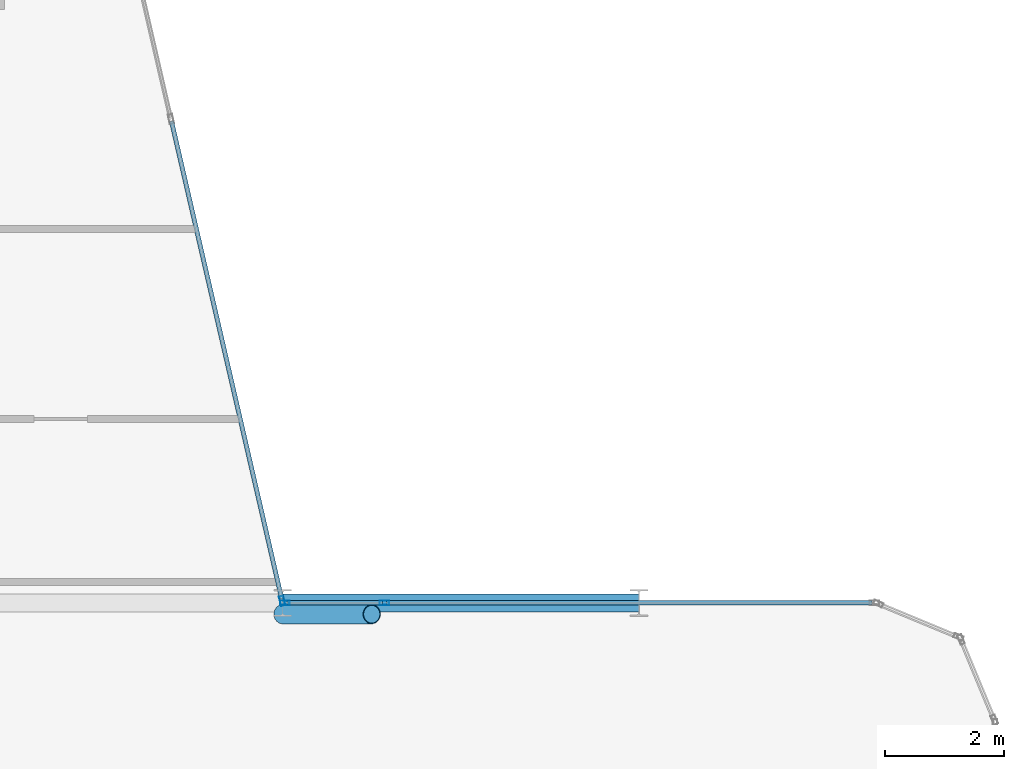
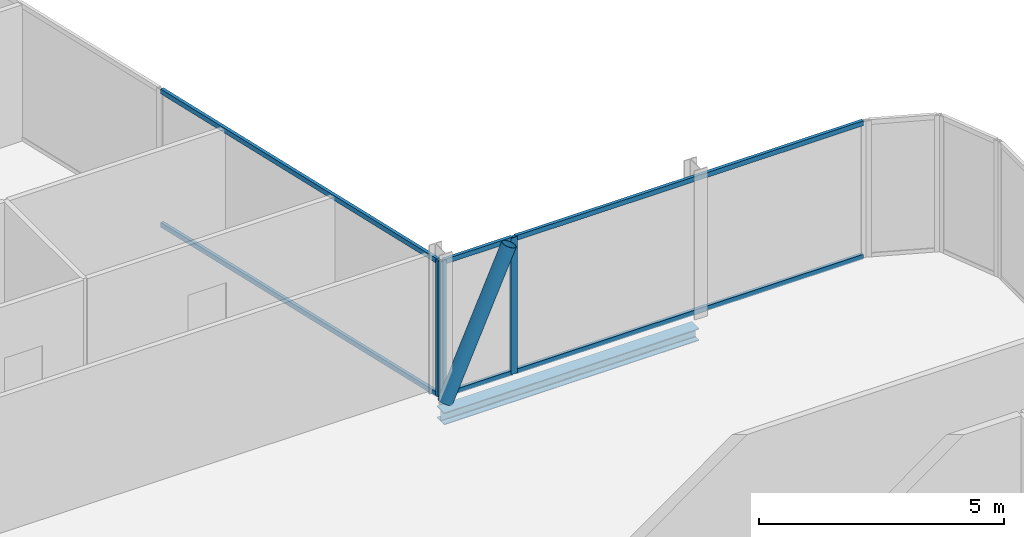
# One storey, part 14 of 29: 10 members, 1 beam, 3 elements without a shape of their own.
"""IFC4 building model written with IfcOpenShell, lengths in metres."""

import ifcopenshell
import ifcopenshell.guid

model = None  # the IFC model being written
_history = None  # IfcOwnerHistory: only IFC2X3 demands one
_inside = {}  # id of a spatial element -> (the spatial element, [elements in it])
_under = {}  # id of a project, library or spatial element -> (it, [spatial elements below it])
_declared = {}  # id of a project -> (the project, [libraries it declares])
_typed = {}  # id of a type object -> (the type object, [elements of that type])
_made_of = {}  # id of a material, layer set ... -> (it, [elements and type objects made of it])


def new_model(schema):
    """Start an empty IFC model of exactly this schema.

    Asked for "IFC4X3", IfcOpenShell would pick the latest addendum, in which some entities
    have other attributes; the version numbers below select the first issue.
    IFC2X3 requires an IfcOwnerHistory on every rooted entity: one is made here for all.
    """
    global model, _history
    if schema == "IFC4X3":
        model = ifcopenshell.file(schema_version=(4, 3, 0, 0))
    else:
        model = ifcopenshell.file(schema=schema)
    _inside.clear()
    _under.clear()
    _declared.clear()
    _typed.clear()
    _made_of.clear()
    _history = None
    if model.schema == "IFC2X3":
        org = make("IfcOrganization", Name="unknown")
        user = make(
            "IfcPersonAndOrganization",
            ThePerson=make("IfcPerson", FamilyName="unknown"),
            TheOrganization=org,
        )
        app = make(
            "IfcApplication",
            ApplicationDeveloper=org,
            Version="unknown",
            ApplicationFullName="unknown",
            ApplicationIdentifier="unknown",
        )
        _history = make(
            "IfcOwnerHistory",
            OwningUser=user,
            OwningApplication=app,
            ChangeAction="ADDED",
            CreationDate=0,
        )
    return model


def make(cls, **values):
    """One entity of the class cls with the attributes given. An attribute that is None is left unset."""
    return model.create_entity(
        cls, **{name: value for name, value in values.items() if value is not None}
    )


def rooted(cls, **values):
    """An entity with a GlobalId (a new one), such as an element, a storey or a relation."""
    return make(cls, GlobalId=ifcopenshell.guid.new(), OwnerHistory=_history, **values)


def si_unit(unit_type, name, prefix=None):
    """IfcSIUnit, for example si_unit("LENGTHUNIT", "METRE", prefix="MILLI")."""
    return make("IfcSIUnit", UnitType=unit_type, Prefix=prefix, Name=name)


def assignment(units):
    """IfcUnitAssignment: the units of a project."""
    return None if units is None else make("IfcUnitAssignment", Units=units)


def point(xyz):
    """IfcCartesianPoint."""
    return None if xyz is None else make("IfcCartesianPoint", Coordinates=xyz)


def direction(xyz):
    """IfcDirection."""
    return None if xyz is None else make("IfcDirection", DirectionRatios=xyz)


def frame(location, z_axis=None, x_axis=None):
    """IfcAxis2Placement3D, a coordinate frame: its origin and axes. An axis left out is left unset."""
    return make(
        "IfcAxis2Placement3D",
        Location=point(location),
        Axis=direction(z_axis),
        RefDirection=direction(x_axis),
    )


def frame_2d(location, x_axis=None):
    """IfcAxis2Placement2D, a coordinate frame in the plane: its origin and x axis."""
    return make(
        "IfcAxis2Placement2D", Location=point(location), RefDirection=direction(x_axis)
    )


def origin():
    """The frame at (0, 0, 0) with its axes left unset."""
    return frame((0.0, 0.0, 0.0))


def origin_2d():
    """The frame at (0, 0) in the plane with its x axis left unset."""
    return frame_2d((0.0, 0.0))


def place(relative_to, where):
    """IfcLocalPlacement: puts the frame where relative to a parent placement (None: the world)."""
    return make(
        "IfcLocalPlacement", PlacementRelTo=relative_to, RelativePlacement=where
    )


def context(
    kind, dimensions, precision=None, world=None, true_north=None, identifier=None
):
    """IfcGeometricRepresentationContext, for example the 3D "Model" context."""
    return make(
        "IfcGeometricRepresentationContext",
        ContextIdentifier=identifier,
        ContextType=kind,
        CoordinateSpaceDimension=dimensions,
        Precision=precision,
        WorldCoordinateSystem=world,
        TrueNorth=true_north,
    )


def subcontext(parent, identifier, kind, view, scale=None):
    """IfcGeometricRepresentationSubContext, for example "Body" below "Model"."""
    return make(
        "IfcGeometricRepresentationSubContext",
        ContextIdentifier=identifier,
        ContextType=kind,
        ParentContext=parent,
        TargetScale=scale,
        TargetView=view,
    )


def project(units=None, contexts=None):
    """IfcProject with its units and contexts."""
    return rooted(
        "IfcProject",
        Name="project",
        RepresentationContexts=contexts,
        UnitsInContext=assignment(units),
    )


def spatial(cls, under=None, at=None, **own):
    """A site, building, storey or space (cls), placed at a placement, below another one or the project."""
    s = rooted(cls, ObjectPlacement=at, **own)
    if under is not None:
        _under.setdefault(under.id(), (under, []))[1].append(s)
    return s


def profile(cls, at=None, kind="AREA", **sizes):
    """A parametric profile (cls). Its sizes go by their IFC names, for example OverallWidth=200.0."""
    return make(cls, ProfileType=kind, Position=at, **sizes)


def hollow_rectangle(**sizes):
    """IfcRectangleHollowProfileDef."""
    return profile("IfcRectangleHollowProfileDef", **sizes)


def hollow_circle(**sizes):
    """IfcCircleHollowProfileDef."""
    return profile("IfcCircleHollowProfileDef", **sizes)


def i_section(**sizes):
    """IfcIShapeProfileDef."""
    return profile("IfcIShapeProfileDef", **sizes)


def extrude(swept, where, along, depth):
    """IfcExtrudedAreaSolid: the profile swept, set in the frame where, extruded along a direction by depth."""
    return make(
        "IfcExtrudedAreaSolid",
        SweptArea=swept,
        Position=where,
        ExtrudedDirection=direction(along),
        Depth=depth,
    )


def shape(context_of_items, identifier, shape_type, items):
    """IfcShapeRepresentation: the items that make up one representation, for example the "Body"."""
    return make(
        "IfcShapeRepresentation",
        ContextOfItems=context_of_items,
        RepresentationIdentifier=identifier,
        RepresentationType=shape_type,
        Items=items,
    )


def material(Name=None, Category=None):
    """IfcMaterial."""
    return make("IfcMaterial", Name=Name, Category=Category)


def layer(
    of_material, thickness, ventilated=None, Name=None, Category=None, Priority=None
):
    """IfcMaterialLayer: one layer of a wall or slab, of a material (None: an air gap)."""
    return make(
        "IfcMaterialLayer",
        Material=of_material,
        LayerThickness=thickness,
        IsVentilated=ventilated,
        Name=Name,
        Category=Category,
        Priority=Priority,
    )


def layer_set(layers, Name=None):
    """IfcMaterialLayerSet."""
    return make("IfcMaterialLayerSet", MaterialLayers=layers, LayerSetName=Name)


def material_profile(
    of_material, cross_section, Name=None, Category=None, Priority=None
):
    """IfcMaterialProfile: a cross section and its material."""
    return make(
        "IfcMaterialProfile",
        Name=Name,
        Material=of_material,
        Profile=cross_section,
        Priority=Priority,
        Category=Category,
    )


def profile_set(profiles, Name=None, composite=None):
    """IfcMaterialProfileSet."""
    return make(
        "IfcMaterialProfileSet",
        Name=Name,
        MaterialProfiles=profiles,
        CompositeProfile=composite,
    )


def made_of(thing, what):
    """Note that an element or type object is made of a material, layer set ...; save() writes the relation."""
    if what is not None:
        _made_of.setdefault(what.id(), (what, []))[1].append(thing)
    return thing


def type_object(cls, material=None, **own):
    """A type object (cls), such as IfcWallType, which elements share."""
    return made_of(rooted(cls, **own), material)


def element(
    cls,
    number,
    at=None,
    inside=None,
    cuts=None,
    type_object=None,
    material=None,
    context=None,
    identifier="Body",
    shape_type=None,
    held_by="IfcProductDefinitionShape",
    body=None,
    shapes=None,
    **own,
):
    """One element of the class cls, such as IfcWall. Its Tag is "e" and its number.

    at: its placement. inside: the storey or other place that contains it. cuts: it is an
    opening in that element (IfcRelVoidsElement). A single representation is given by context,
    identifier, shape_type and body (its items); several are given by shapes. held_by: the class
    of the entity that holds the representations. save() writes the other relations.
    """
    e = rooted(cls, Tag="e%d" % number, ObjectPlacement=at, **own)
    if body is not None:
        shapes = [shape(context, identifier, shape_type, body)]
    if shapes is not None:
        e.Representation = make(held_by, Representations=shapes)
    if inside is not None:
        _inside.setdefault(inside.id(), (inside, []))[1].append(e)
    if cuts is not None:
        rooted(
            "IfcRelVoidsElement", RelatingBuildingElement=cuts, RelatedOpeningElement=e
        )
    if type_object is not None:
        _typed.setdefault(type_object.id(), (type_object, []))[1].append(e)
    return made_of(e, material)


def aggregate(whole, parts):
    """IfcRelAggregates: a whole, such as a stair, and the parts it consists of."""
    return rooted("IfcRelAggregates", RelatingObject=whole, RelatedObjects=parts)


def save(model, path):
    """Write the relations noted so far, then the file.

    IfcRelAggregates (storeys below a building ...), IfcRelContainedInSpatialStructure (elements
    in a storey), IfcRelDefinesByType, IfcRelAssociatesMaterial and IfcRelDeclares: one each for
    every whole, place, type object, material and project.
    """
    for whole, parts in _under.values():
        aggregate(whole, parts)
    for where, things in _inside.values():
        rooted(
            "IfcRelContainedInSpatialStructure",
            RelatedElements=things,
            RelatingStructure=where,
        )
    for kind, things in _typed.values():
        rooted("IfcRelDefinesByType", RelatedObjects=things, RelatingType=kind)
    for what, things in _made_of.values():
        rooted("IfcRelAssociatesMaterial", RelatedObjects=things, RelatingMaterial=what)
    for by, libraries in _declared.values():
        rooted("IfcRelDeclares", RelatingContext=by, RelatedDefinitions=libraries)
    model.write(path)


model = new_model("IFC4")

# Units and contexts
model_context = context("Model", 3, precision=1e-05, world=origin(), true_north=direction((0.0, 1.0)))
body_context = subcontext(model_context, "Body", "Model", "MODEL_VIEW")
ifc_project = project(units=[si_unit("LENGTHUNIT", "METRE"), si_unit("AREAUNIT", "SQUARE_METRE"), si_unit("VOLUMEUNIT", "CUBIC_METRE"), si_unit("PLANEANGLEUNIT", "RADIAN"), si_unit("MASSUNIT", "GRAM", prefix="KILO")], contexts=[model_context])

# Site, building, storey
site_placement = place(None, origin())
site = spatial("IfcSite", under=ifc_project, at=site_placement, CompositionType="ELEMENT")
building_placement = place(site_placement, origin())
building = spatial("IfcBuilding", under=site, at=building_placement, Name="Keshet Zoharim Tower", CompositionType="ELEMENT")
storey_placement = place(building_placement, frame((0.0, 0.0, 199.5)))
storey = spatial("IfcBuildingStorey", under=building, at=storey_placement, Name="L49", CompositionType="ELEMENT", Elevation=199.5)

# Beam
ifc_material_1 = material(Name="Steel S355", Category="steel")
ifc_material_profile_1 = material_profile(ifc_material_1, i_section(OverallWidth=0.300048828125, OverallDepth=0.300048828125, WebThickness=0.010986328125, FlangeThickness=0.01904296875, FilletRadius=0.027099609375, at=origin_2d()), Name="HEB300")
ifc_profile_set_1 = profile_set([ifc_material_profile_1], Name="Steel S355")
beam_type = type_object("IfcBeamType", Name="BM-PRI-HB300", PredefinedType="BEAM", material=ifc_profile_set_1)
beam_placement = place(storey_placement, frame((45.0, 27.89990234375, -0.4599609375), z_axis=(1.0, 0.0, 0.0), x_axis=(0.0, 1.0, 0.0)))
element("IfcBeam", 1, at=beam_placement, inside=storey, type_object=beam_type, Name="L49 Primary Girder X-016", PredefinedType="BEAM", context=body_context, shape_type="SweptSolid", body=[
    extrude(i_section(OverallWidth=0.300048828125, OverallDepth=0.300048828125, WebThickness=0.010986328125, FlangeThickness=0.01904296875, FilletRadius=0.027099609375, at=origin_2d()), origin(), (0.0, 0.0, 1.0), 6.0),
])

# Curtain wall, member
ifc_material_2 = material(Name="Aluminium 6063-T6", Category="aluminium")
ifc_layer = layer(ifc_material_2, 0.139892578125)
ifc_layer_set = layer_set([ifc_layer], Name="Aluminium 6063-T6")
curtain_wall_type = type_object("IfcCurtainWallType", Name="CW-SYS-05", PredefinedType="NOTDEFINED", material=ifc_layer_set)
curtain_wall_1_placement = place(storey_placement, origin())
curtain_wall_1 = element("IfcCurtainWall", 2, at=curtain_wall_1_placement, inside=storey, type_object=curtain_wall_type, Name="L49 Unitised Curtain Wall 19", PredefinedType="NOTDEFINED")
ifc_material_profile_2 = material_profile(ifc_material_2, hollow_rectangle(XDim=0.074951171875, YDim=0.159912109375, WallThickness=0.00390625, at=origin_2d()), Name="MUL-75x160")
ifc_profile_set_2 = profile_set([ifc_material_profile_2], Name="Aluminium 6063-T6")
member_type_1 = type_object("IfcMemberType", Name="CWM-M15", PredefinedType="MULLION", material=ifc_profile_set_2)
member_1_placement = place(storey_placement, frame((44.9921875, 27.93408203125, 0.0), z_axis=(0.0, 0.0, 1.0), x_axis=(0.974393882313, 0.224847864369, 0.0)))
member_1 = element("IfcMember", 3, at=member_1_placement, type_object=member_type_1, Name="CW-05 mullion 4", PredefinedType="MULLION", context=body_context, shape_type="SweptSolid", body=[
    extrude(hollow_rectangle(XDim=0.074951171875, YDim=0.159912109375, WallThickness=0.00390625, at=origin_2d()), origin(), (0.0, 0.0, 1.0), 3.389892578125),
])

# Curtain wall, members
curtain_wall_2_placement = place(storey_placement, origin())
curtain_wall_2 = element("IfcCurtainWall", 4, at=curtain_wall_2_placement, inside=storey, type_object=curtain_wall_type, Name="L49 Unitised Curtain Wall 20", PredefinedType="NOTDEFINED")
member_2_placement = place(storey_placement, frame((45.034912109375, 27.89990234375, 0.0), z_axis=(0.0, 0.0, 1.0), x_axis=(0.0, 1.0, 0.0)))
member_2 = element("IfcMember", 5, at=member_2_placement, type_object=member_type_1, Name="CW-05 mullion 1", PredefinedType="MULLION", context=body_context, shape_type="SweptSolid", body=[
    extrude(hollow_rectangle(XDim=0.074951171875, YDim=0.159912109375, WallThickness=0.00390625, at=origin_2d()), origin(), (0.0, 0.0, 1.0), 3.389892578125),
])
member_3_placement = place(storey_placement, frame((46.713134765625, 27.89990234375, 0.0), z_axis=(0.0, 0.0, 1.0), x_axis=(0.0, 1.0, 0.0)))
member_3 = element("IfcMember", 6, at=member_3_placement, type_object=member_type_1, Name="CW-05 mullion 2", PredefinedType="MULLION", context=body_context, shape_type="SweptSolid", body=[
    extrude(hollow_rectangle(XDim=0.074951171875, YDim=0.159912109375, WallThickness=0.00390625, at=origin_2d()), origin(), (0.0, 0.0, 1.0), 3.389892578125),
])

# Member
ifc_material_profile_3 = material_profile(ifc_material_2, hollow_rectangle(XDim=0.074951171875, YDim=0.1201171875, WallThickness=0.00390625, at=origin_2d()), Name="TRN-75x120")
ifc_profile_set_3 = profile_set([ifc_material_profile_3], Name="Aluminium 6063-T6")
member_type_2 = type_object("IfcMemberType", Name="CWT-T12", PredefinedType="USERDEFINED", material=ifc_profile_set_3)
member_4_placement = place(storey_placement, frame((43.127197265625, 36.015869140625, 0.034912109375), z_axis=(0.224863824467, -0.974390199277, 0.0), x_axis=(0.974390199277, 0.224863824467, 0.0)))
member_4 = element("IfcMember", 7, at=member_4_placement, type_object=member_type_2, Name="CW-05 transom 3.1", ObjectType="TRANSOM", PredefinedType="USERDEFINED", context=body_context, shape_type="SweptSolid", body=[
    extrude(hollow_rectangle(XDim=0.074951171875, YDim=0.1201171875, WallThickness=0.00390625, at=origin_2d()), origin(), (0.0, 0.0, 1.0), 8.259033203125),
])

member_5_placement = place(storey_placement, frame((43.127197265625, 36.015869140625, 3.35498046875), z_axis=(0.224863824467, -0.974390199277, 0.0), x_axis=(0.974390199277, 0.224863824467, 0.0)))
member_5 = element("IfcMember", 8, at=member_5_placement, type_object=member_type_2, Name="CW-05 transom 3.2", ObjectType="TRANSOM", PredefinedType="USERDEFINED", context=body_context, shape_type="SweptSolid", body=[
    extrude(hollow_rectangle(XDim=0.074951171875, YDim=0.1201171875, WallThickness=0.00390625, at=origin_2d()), origin(), (0.0, 0.0, 1.0), 8.259033203125),
])

aggregate(curtain_wall_1, [member_1, member_4, member_5])

member_6_placement = place(storey_placement, frame((45.070068359375, 27.89990234375, 0.034912109375), z_axis=(1.0, 0.0, 0.0), x_axis=(0.0, 1.0, 0.0)))
member_6 = element("IfcMember", 9, at=member_6_placement, type_object=member_type_2, Name="CW-05 transom 1.1", ObjectType="TRANSOM", PredefinedType="USERDEFINED", context=body_context, shape_type="SweptSolid", body=[
    extrude(hollow_rectangle(XDim=0.074951171875, YDim=0.1201171875, WallThickness=0.00390625, at=origin_2d()), origin(), (0.0, 0.0, 1.0), 1.60791015625),
])

member_7_placement = place(storey_placement, frame((45.070068359375, 27.89990234375, 3.35498046875), z_axis=(1.0, 0.0, 0.0), x_axis=(0.0, 1.0, 0.0)))
member_7 = element("IfcMember", 10, at=member_7_placement, type_object=member_type_2, Name="CW-05 transom 1.2", ObjectType="TRANSOM", PredefinedType="USERDEFINED", context=body_context, shape_type="SweptSolid", body=[
    extrude(hollow_rectangle(XDim=0.074951171875, YDim=0.1201171875, WallThickness=0.00390625, at=origin_2d()), origin(), (0.0, 0.0, 1.0), 1.60791015625),
])

aggregate(curtain_wall_2, [member_2, member_3, member_6, member_7])

# Curtain wall, members
curtain_wall_3_placement = place(storey_placement, origin())
curtain_wall_3 = element("IfcCurtainWall", 11, at=curtain_wall_3_placement, inside=storey, type_object=curtain_wall_type, Name="L49 Unitised Curtain Wall 20 Part 2", PredefinedType="NOTDEFINED")
member_8_placement = place(storey_placement, frame((46.748046875, 27.89990234375, 0.034912109375), z_axis=(1.0, 0.0, 0.0), x_axis=(0.0, 1.0, 0.0)))
member_8 = element("IfcMember", 12, at=member_8_placement, type_object=member_type_2, Name="CW-05 transom 1.1", ObjectType="TRANSOM", PredefinedType="USERDEFINED", context=body_context, shape_type="SweptSolid", body=[
    extrude(hollow_rectangle(XDim=0.074951171875, YDim=0.1201171875, WallThickness=0.00390625, at=origin_2d()), origin(), (0.0, 0.0, 1.0), 8.181884765625),
])
member_9_placement = place(storey_placement, frame((46.748046875, 27.89990234375, 3.35498046875), z_axis=(1.0, 0.0, 0.0), x_axis=(0.0, 1.0, 0.0)))
member_9 = element("IfcMember", 13, at=member_9_placement, type_object=member_type_2, Name="CW-05 transom 1.2", ObjectType="TRANSOM", PredefinedType="USERDEFINED", context=body_context, shape_type="SweptSolid", body=[
    extrude(hollow_rectangle(XDim=0.074951171875, YDim=0.1201171875, WallThickness=0.00390625, at=origin_2d()), origin(), (0.0, 0.0, 1.0), 8.181884765625),
])
aggregate(curtain_wall_3, [member_8, member_9])

# Member
ifc_material_profile_4 = material_profile(ifc_material_1, hollow_circle(Radius=0.161865234375, WallThickness=0.012451171875, at=origin_2d()), Name="CHS323x12.5")
ifc_profile_set_4 = profile_set([ifc_material_profile_4], Name="Steel S355")
member_type_3 = type_object("IfcMemberType", Name="MB-BR-C323", PredefinedType="BRACE", material=ifc_profile_set_4)
member_10_placement = place(storey_placement, frame((45.0, 27.7099609375, 0.0), z_axis=(0.40464689807, 0.0, 0.914473011019), x_axis=(0.0, 1.0, 0.0)))
element("IfcMember", 14, at=member_10_placement, inside=storey, type_object=member_type_3, Name="L49 Perimeter Tube Brace 04", PredefinedType="BRACE", context=body_context, shape_type="SweptSolid", body=[
    extrude(hollow_circle(Radius=0.161865234375, WallThickness=0.012451171875, at=origin_2d()), origin(), (0.0, 0.0, 1.0), 3.70703125),
])

save(model, "model.ifc")
